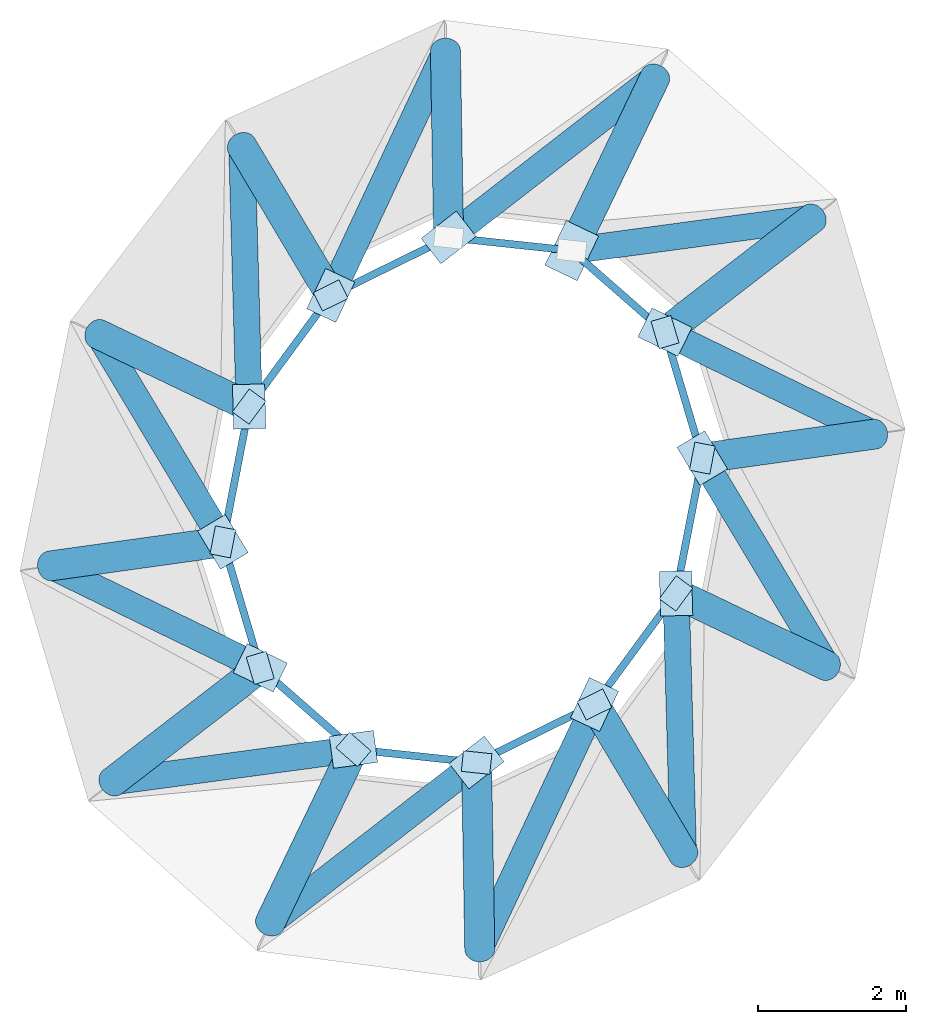
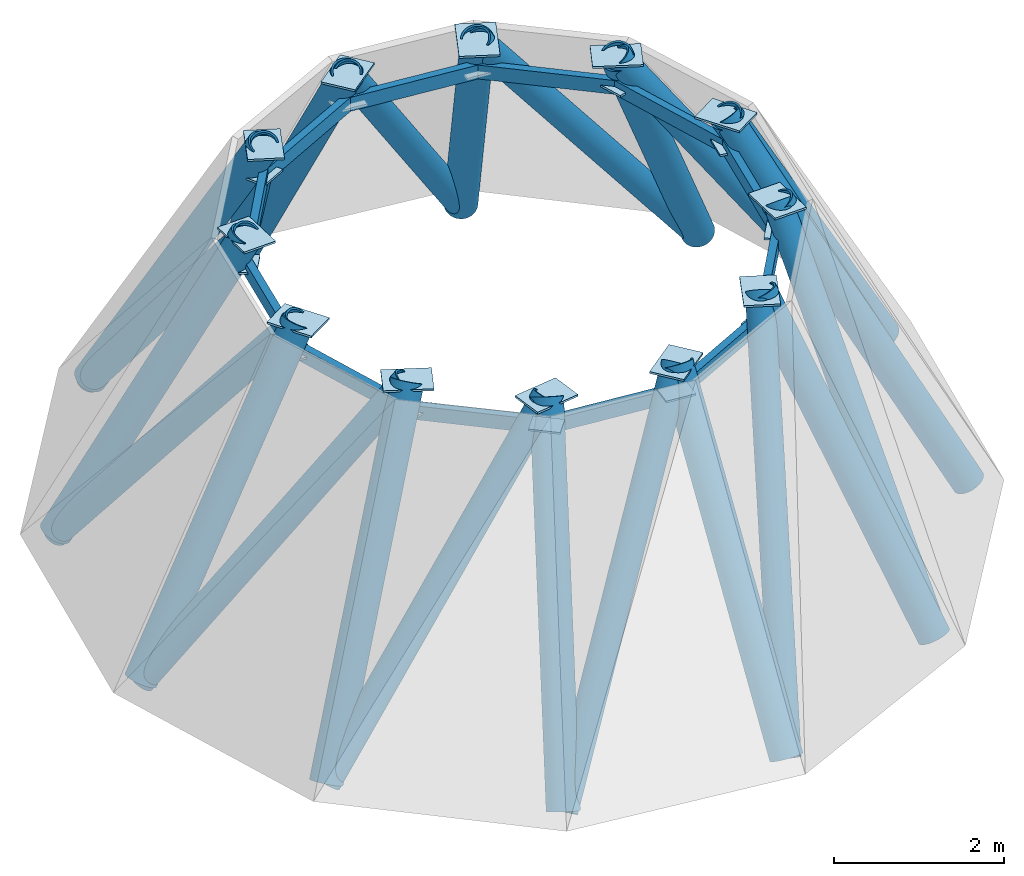
# One storey, part 1 of 2: 36 members, 22 plates.
"""IFC4 building model written with IfcOpenShell, lengths in metres."""

from ifc_helpers import new_model, si_unit, direction, frame, origin, origin_2d, place, context, subcontext, project, spatial, rectangle, hollow_rectangle, hollow_circle, extrude, material, layer, layer_set, material_profile, profile_set, type_object, element, save


model = new_model("IFC4")

# Units and contexts
model_context = context("Model", 3, precision=1e-05, world=origin(), true_north=direction((0.0, 1.0)))
body_context = subcontext(model_context, "Body", "Model", "MODEL_VIEW")
ifc_project = project(units=[si_unit("LENGTHUNIT", "METRE"), si_unit("AREAUNIT", "SQUARE_METRE"), si_unit("VOLUMEUNIT", "CUBIC_METRE"), si_unit("PLANEANGLEUNIT", "RADIAN"), si_unit("MASSUNIT", "GRAM", prefix="KILO")], contexts=[model_context])

# Site, building, storey
site_placement = place(None, origin())
site = spatial("IfcSite", under=ifc_project, at=site_placement, CompositionType="ELEMENT")
building_placement = place(site_placement, origin())
building = spatial("IfcBuilding", under=site, at=building_placement, Name="Veldorim Arch Residences", CompositionType="ELEMENT")
storey_placement = place(building_placement, frame((0.0, 0.0, 263.52001953125)))
storey = spatial("IfcBuildingStorey", under=building, at=storey_placement, Name="L78", CompositionType="ELEMENT", Elevation=263.52001953125)

# Members
ifc_material_1 = material(Name="Steel S460", Category="steel")
ifc_material_profile_1 = material_profile(ifc_material_1, hollow_circle(Radius=0.177734375, WallThickness=0.02490234375, at=origin_2d()), Name="CHS355.6x25")
ifc_profile_set_1 = profile_set([ifc_material_profile_1], Name="Steel S460")
member_type_1 = type_object("IfcMemberType", Name="Crown Diagrid CHS355.6x25", PredefinedType="STRUT", material=ifc_profile_set_1)
member_1_placement = place(storey_placement, frame((34.602294921875, 29.715576171875, 0.0), z_axis=(-0.511440311263, -0.396932072953, 0.762150731468), x_axis=(0.613117560272, -0.789991681783, 0.0)))
element("IfcMember", 1, at=member_1_placement, inside=storey, type_object=member_type_1, Name="L78 Crown Diagrid diagrid brace 01", PredefinedType="STRUT", context=body_context, shape_type="SweptSolid", body=[
    extrude(hollow_circle(Radius=0.177734375, WallThickness=0.02490234375, at=origin_2d()), origin(), (0.0, 0.0, 1.0), 5.4580078125),
])
member_2_placement = place(storey_placement, frame((31.767578125, 30.069091796875, 0.0), z_axis=(-0.280128393892, -0.597092568713, 0.751670504492), x_axis=(0.905318310706, -0.424733747542, 0.0)))
element("IfcMember", 2, at=member_2_placement, inside=storey, type_object=member_type_1, Name="L78 Crown Diagrid diagrid brace 02", PredefinedType="STRUT", context=body_context, shape_type="SweptSolid", body=[
    extrude(hollow_circle(Radius=0.177734375, WallThickness=0.02490234375, at=origin_2d()), origin(), (0.0, 0.0, 1.0), 5.5341796875),
])
member_3_placement = place(storey_placement, frame((29.015380859375, 28.78466796875, 0.0), z_axis=(0.018183363835, -0.646002068858, 0.763119055135), x_axis=(0.999604093461, 0.028136388099, 0.0)))
element("IfcMember", 3, at=member_3_placement, inside=storey, type_object=member_type_1, Name="L78 Crown Diagrid diagrid brace 03", PredefinedType="STRUT", context=body_context, shape_type="SweptSolid", body=[
    extrude(hollow_circle(Radius=0.177734375, WallThickness=0.02490234375, at=origin_2d()), origin(), (0.0, 0.0, 1.0), 5.451171875),
])
member_4_placement = place(storey_placement, frame((27.076416015625, 26.24169921875, 0.0), z_axis=(0.31796107465, -0.530396338623, 0.785862888157), x_axis=(0.8576902849, 0.514166680356, 0.0)))
element("IfcMember", 4, at=member_4_placement, inside=storey, type_object=member_type_1, Name="L78 Crown Diagrid diagrid brace 04", PredefinedType="STRUT", context=body_context, shape_type="SweptSolid", body=[
    extrude(hollow_circle(Radius=0.177734375, WallThickness=0.02490234375, at=origin_2d()), origin(), (0.0, 0.0, 1.0), 5.29345703125),
])
member_5_placement = place(storey_placement, frame((26.431396484375, 23.109619140625, 0.0), z_axis=(0.542896782699, -0.264149882378, 0.797174963841), x_axis=(0.43751652469, 0.899210370616, 0.0)))
element("IfcMember", 5, at=member_5_placement, inside=storey, type_object=member_type_1, Name="L78 Crown Diagrid diagrid brace 05", PredefinedType="STRUT", context=body_context, shape_type="SweptSolid", body=[
    extrude(hollow_circle(Radius=0.177734375, WallThickness=0.02490234375, at=origin_2d()), origin(), (0.0, 0.0, 1.0), 5.21826171875),
])
member_6_placement = place(storey_placement, frame((27.269775390625, 20.1904296875, 0.0), z_axis=(0.614084917929, 0.082731716495, 0.784891824813), x_axis=(-0.133517326257, 0.991046479026, 0.0)))
element("IfcMember", 6, at=member_6_placement, inside=storey, type_object=member_type_1, Name="L78 Crown Diagrid diagrid brace 06", PredefinedType="STRUT", context=body_context, shape_type="SweptSolid", body=[
    extrude(hollow_circle(Radius=0.177734375, WallThickness=0.02490234375, at=origin_2d()), origin(), (0.0, 0.0, 1.0), 5.300048828125),
])
member_7_placement = place(storey_placement, frame((29.397705078125, 18.284423828125, 0.0), z_axis=(0.511440311263, 0.396932072953, 0.762150731468), x_axis=(-0.613117560272, 0.789991681783, 0.0)))
element("IfcMember", 7, at=member_7_placement, inside=storey, type_object=member_type_1, Name="L78 Crown Diagrid diagrid brace 07", PredefinedType="STRUT", context=body_context, shape_type="SweptSolid", body=[
    extrude(hollow_circle(Radius=0.177734375, WallThickness=0.02490234375, at=origin_2d()), origin(), (0.0, 0.0, 1.0), 5.4580078125),
])
member_8_placement = place(storey_placement, frame((32.232421875, 17.930908203125, 0.0), z_axis=(0.280128393892, 0.597092568713, 0.751670504492), x_axis=(-0.905318310706, 0.424733747542, 0.0)))
element("IfcMember", 8, at=member_8_placement, inside=storey, type_object=member_type_1, Name="L78 Crown Diagrid diagrid brace 08", PredefinedType="STRUT", context=body_context, shape_type="SweptSolid", body=[
    extrude(hollow_circle(Radius=0.177734375, WallThickness=0.02490234375, at=origin_2d()), origin(), (0.0, 0.0, 1.0), 5.5341796875),
])
member_9_placement = place(storey_placement, frame((34.984619140625, 19.21533203125, 0.0), z_axis=(-0.018183363835, 0.646002068858, 0.763119055135), x_axis=(-0.999604093461, -0.028136388099, 0.0)))
element("IfcMember", 9, at=member_9_placement, inside=storey, type_object=member_type_1, Name="L78 Crown Diagrid diagrid brace 09", PredefinedType="STRUT", context=body_context, shape_type="SweptSolid", body=[
    extrude(hollow_circle(Radius=0.177734375, WallThickness=0.02490234375, at=origin_2d()), origin(), (0.0, 0.0, 1.0), 5.451171875),
])
member_10_placement = place(storey_placement, frame((36.923583984375, 21.75830078125, 0.0), z_axis=(-0.31796107465, 0.530396338623, 0.785862888157), x_axis=(-0.8576902849, -0.514166680356, 0.0)))
element("IfcMember", 10, at=member_10_placement, inside=storey, type_object=member_type_1, Name="L78 Crown Diagrid diagrid brace 10", PredefinedType="STRUT", context=body_context, shape_type="SweptSolid", body=[
    extrude(hollow_circle(Radius=0.177734375, WallThickness=0.02490234375, at=origin_2d()), origin(), (0.0, 0.0, 1.0), 5.29345703125),
])
member_11_placement = place(storey_placement, frame((37.568603515625, 24.890380859375, 0.0), z_axis=(-0.542896782699, 0.264149882378, 0.797174963841), x_axis=(-0.43751652469, -0.899210370616, 0.0)))
element("IfcMember", 11, at=member_11_placement, inside=storey, type_object=member_type_1, Name="L78 Crown Diagrid diagrid brace 11", PredefinedType="STRUT", context=body_context, shape_type="SweptSolid", body=[
    extrude(hollow_circle(Radius=0.177734375, WallThickness=0.02490234375, at=origin_2d()), origin(), (0.0, 0.0, 1.0), 5.21826171875),
])
member_12_placement = place(storey_placement, frame((36.730224609375, 27.8095703125, 0.0), z_axis=(-0.614084917929, -0.082731716495, 0.784891824813), x_axis=(0.133517326257, -0.991046479026, 0.0)))
element("IfcMember", 12, at=member_12_placement, inside=storey, type_object=member_type_1, Name="L78 Crown Diagrid diagrid brace 12", PredefinedType="STRUT", context=body_context, shape_type="SweptSolid", body=[
    extrude(hollow_circle(Radius=0.177734375, WallThickness=0.02490234375, at=origin_2d()), origin(), (0.0, 0.0, 1.0), 5.300048828125),
])
ifc_material_2 = material(Name="Steel S460", Category="steel")
ifc_material_profile_2 = material_profile(ifc_material_2, hollow_circle(Radius=0.203125, WallThickness=0.02490234375, at=origin_2d()), Name="CHS406.4x25")
ifc_profile_set_2 = profile_set([ifc_material_profile_2], Name="Steel S460")
member_type_2 = type_object("IfcMemberType", Name="Crown Diagrid CHS406.4x25", PredefinedType="BRACE", material=ifc_profile_set_2)
member_13_placement = place(storey_placement, frame((34.602294921875, 29.715576171875, 0.0), z_axis=(-0.229649357521, -0.477859757373, 0.847886327802), x_axis=(0.901319374712, -0.433155150921, 0.0)))
element("IfcMember", 13, at=member_13_placement, inside=storey, type_object=member_type_2, Name="L78 Crown Diagrid tapering rib 01", PredefinedType="BRACE", context=body_context, shape_type="SweptSolid", body=[
    extrude(hollow_circle(Radius=0.203125, WallThickness=0.02490234375, at=origin_2d()), origin(), (0.0, 0.0, 1.0), 4.90625),
])
member_14_placement = place(storey_placement, frame((31.767578125, 30.069091796875, 0.0), z_axis=(0.008884466017, -0.518109933504, 0.855267889651), x_axis=(0.999853008215, 0.017145318974, 0.0)))
element("IfcMember", 14, at=member_14_placement, inside=storey, type_object=member_type_2, Name="L78 Crown Diagrid tapering rib 02", PredefinedType="BRACE", context=body_context, shape_type="SweptSolid", body=[
    extrude(hollow_circle(Radius=0.203125, WallThickness=0.02490234375, at=origin_2d()), origin(), (0.0, 0.0, 1.0), 4.86376953125),
])
member_15_placement = place(storey_placement, frame((29.015380859375, 28.78466796875, 0.0), z_axis=(0.251546151763, -0.422769217894, 0.87062662602), x_axis=(0.859384171603, 0.511330466135, 0.0)))
element("IfcMember", 15, at=member_15_placement, inside=storey, type_object=member_type_2, Name="L78 Crown Diagrid tapering rib 03", PredefinedType="BRACE", context=body_context, shape_type="SweptSolid", body=[
    extrude(hollow_circle(Radius=0.203125, WallThickness=0.02490234375, at=origin_2d()), origin(), (0.0, 0.0, 1.0), 4.778076171875),
])
member_16_placement = place(storey_placement, frame((27.076416015625, 26.24169921875, 0.0), z_axis=(0.430469041681, -0.206674642916, 0.87862506004), x_axis=(0.432815321498, 0.901482610745, 0.0)))
element("IfcMember", 16, at=member_16_placement, inside=storey, type_object=member_type_2, Name="L78 Crown Diagrid tapering rib 04", PredefinedType="BRACE", context=body_context, shape_type="SweptSolid", body=[
    extrude(hollow_circle(Radius=0.203125, WallThickness=0.02490234375, at=origin_2d()), origin(), (0.0, 0.0, 1.0), 4.734619140625),
])
member_17_placement = place(storey_placement, frame((26.431396484375, 23.109619140625, 0.0), z_axis=(0.487248354579, 0.067906151765, 0.870619202357), x_axis=(-0.138032550746, 0.990427692936, 0.0)))
element("IfcMember", 17, at=member_17_placement, inside=storey, type_object=member_type_2, Name="L78 Crown Diagrid tapering rib 05", PredefinedType="BRACE", context=body_context, shape_type="SweptSolid", body=[
    extrude(hollow_circle(Radius=0.203125, WallThickness=0.02490234375, at=origin_2d()), origin(), (0.0, 0.0, 1.0), 4.778076171875),
])
member_18_placement = place(storey_placement, frame((27.269775390625, 20.1904296875, 0.0), z_axis=(0.410089541723, 0.316777857749, 0.855265079732), x_axis=(-0.611315164628, 0.791387243703, 0.0)))
element("IfcMember", 18, at=member_18_placement, inside=storey, type_object=member_type_2, Name="L78 Crown Diagrid tapering rib 06", PredefinedType="BRACE", context=body_context, shape_type="SweptSolid", body=[
    extrude(hollow_circle(Radius=0.203125, WallThickness=0.02490234375, at=origin_2d()), origin(), (0.0, 0.0, 1.0), 4.86376953125),
])
member_19_placement = place(storey_placement, frame((29.397705078125, 18.284423828125, 0.0), z_axis=(0.229649357521, 0.477859757373, 0.847886327802), x_axis=(-0.901319374712, 0.433155150921, 0.0)))
element("IfcMember", 19, at=member_19_placement, inside=storey, type_object=member_type_2, Name="L78 Crown Diagrid tapering rib 07", PredefinedType="BRACE", context=body_context, shape_type="SweptSolid", body=[
    extrude(hollow_circle(Radius=0.203125, WallThickness=0.02490234375, at=origin_2d()), origin(), (0.0, 0.0, 1.0), 4.90625),
])
member_20_placement = place(storey_placement, frame((32.232421875, 17.930908203125, 0.0), z_axis=(-0.008884466017, 0.518109933504, 0.855267889651), x_axis=(-0.999853008215, -0.017145318974, 0.0)))
element("IfcMember", 20, at=member_20_placement, inside=storey, type_object=member_type_2, Name="L78 Crown Diagrid tapering rib 08", PredefinedType="BRACE", context=body_context, shape_type="SweptSolid", body=[
    extrude(hollow_circle(Radius=0.203125, WallThickness=0.02490234375, at=origin_2d()), origin(), (0.0, 0.0, 1.0), 4.86376953125),
])
member_21_placement = place(storey_placement, frame((34.984619140625, 19.21533203125, 0.0), z_axis=(-0.251546151763, 0.422769217894, 0.87062662602), x_axis=(-0.859384171603, -0.511330466135, 0.0)))
element("IfcMember", 21, at=member_21_placement, inside=storey, type_object=member_type_2, Name="L78 Crown Diagrid tapering rib 09", PredefinedType="BRACE", context=body_context, shape_type="SweptSolid", body=[
    extrude(hollow_circle(Radius=0.203125, WallThickness=0.02490234375, at=origin_2d()), origin(), (0.0, 0.0, 1.0), 4.778076171875),
])
member_22_placement = place(storey_placement, frame((36.923583984375, 21.75830078125, 0.0), z_axis=(-0.430469041681, 0.206674642916, 0.87862506004), x_axis=(-0.432815321498, -0.901482610745, 0.0)))
element("IfcMember", 22, at=member_22_placement, inside=storey, type_object=member_type_2, Name="L78 Crown Diagrid tapering rib 10", PredefinedType="BRACE", context=body_context, shape_type="SweptSolid", body=[
    extrude(hollow_circle(Radius=0.203125, WallThickness=0.02490234375, at=origin_2d()), origin(), (0.0, 0.0, 1.0), 4.734619140625),
])
member_23_placement = place(storey_placement, frame((37.568603515625, 24.890380859375, 0.0), z_axis=(-0.487248354579, -0.067906151765, 0.870619202357), x_axis=(0.138032550746, -0.990427692936, 0.0)))
element("IfcMember", 23, at=member_23_placement, inside=storey, type_object=member_type_2, Name="L78 Crown Diagrid tapering rib 11", PredefinedType="BRACE", context=body_context, shape_type="SweptSolid", body=[
    extrude(hollow_circle(Radius=0.203125, WallThickness=0.02490234375, at=origin_2d()), origin(), (0.0, 0.0, 1.0), 4.778076171875),
])
member_24_placement = place(storey_placement, frame((36.730224609375, 27.8095703125, 0.0), z_axis=(-0.410089541723, -0.316777857749, 0.855265079732), x_axis=(0.611315164628, -0.791387243703, 0.0)))
element("IfcMember", 24, at=member_24_placement, inside=storey, type_object=member_type_2, Name="L78 Crown Diagrid tapering rib 12", PredefinedType="BRACE", context=body_context, shape_type="SweptSolid", body=[
    extrude(hollow_circle(Radius=0.203125, WallThickness=0.02490234375, at=origin_2d()), origin(), (0.0, 0.0, 1.0), 4.86376953125),
])
ifc_material_3 = material(Name="Steel S355", Category="steel")
ifc_material_profile_3 = material_profile(ifc_material_3, hollow_rectangle(XDim=0.10009765625, YDim=0.199951171875, WallThickness=0.010009765625, at=origin_2d()), Name="RHS200x100x10")
ifc_profile_set_3 = profile_set([ifc_material_profile_3], Name="Steel S355")
member_type_3 = type_object("IfcMemberType", Name="Truss Purlin RHS200x100x10", PredefinedType="PURLIN", material=ifc_profile_set_3)
member_25_placement = place(storey_placement, frame((33.4755859375, 27.37109375, 3.739990234375), z_axis=(-0.994333950949, 0.106301429864, 0.0), x_axis=(-0.106301429864, -0.994333950949, 0.0)))
element("IfcMember", 25, at=member_25_placement, inside=storey, type_object=member_type_3, Name="L78 crown ring purlin 01", PredefinedType="PURLIN", context=body_context, shape_type="SweptSolid", body=[
    extrude(hollow_rectangle(XDim=0.10009765625, YDim=0.199951171875, WallThickness=0.010009765625, at=origin_2d()), origin(), (0.0, 0.0, 1.0), 1.67431640625),
])
member_26_placement = place(storey_placement, frame((31.810791015625, 27.549072265625, 3.739990234375), z_axis=(-0.897186597405, -0.441651683386, 0.0), x_axis=(0.441651683386, -0.897186597405, 0.0)))
element("IfcMember", 26, at=member_26_placement, inside=storey, type_object=member_type_3, Name="L78 crown ring purlin 02", PredefinedType="PURLIN", context=body_context, shape_type="SweptSolid", body=[
    extrude(hollow_rectangle(XDim=0.10009765625, YDim=0.199951171875, WallThickness=0.010009765625, at=origin_2d()), origin(), (0.0, 0.0, 1.0), 1.776123046875),
])
member_27_placement = place(storey_placement, frame((30.21728515625, 26.7646484375, 3.739990234375), z_axis=(-0.591960051703, -0.805967305285, 0.0), x_axis=(0.805967305285, -0.591960051703, 0.0)))
element("IfcMember", 27, at=member_27_placement, inside=storey, type_object=member_type_3, Name="L78 crown ring purlin 03", PredefinedType="PURLIN", context=body_context, shape_type="SweptSolid", body=[
    extrude(hollow_rectangle(XDim=0.10009765625, YDim=0.199951171875, WallThickness=0.010009765625, at=origin_2d()), origin(), (0.0, 0.0, 1.0), 1.863037109375),
])
member_28_placement = place(storey_placement, frame((29.114501953125, 25.26318359375, 3.739990234375), z_axis=(-0.190518932237, -0.981683521538, 0.0), x_axis=(0.981683521538, -0.190518932237, 0.0)))
element("IfcMember", 28, at=member_28_placement, inside=storey, type_object=member_type_3, Name="L78 crown ring purlin 04", PredefinedType="PURLIN", context=body_context, shape_type="SweptSolid", body=[
    extrude(hollow_rectangle(XDim=0.10009765625, YDim=0.199951171875, WallThickness=0.010009765625, at=origin_2d()), origin(), (0.0, 0.0, 1.0), 1.86328125),
])
member_29_placement = place(storey_placement, frame((28.759521484375, 23.43408203125, 3.739990234375), z_axis=(0.28425680727, -0.958748177323, 0.0), x_axis=(0.958748177323, 0.28425680727, 0.0)))
element("IfcMember", 29, at=member_29_placement, inside=storey, type_object=member_type_3, Name="L78 crown ring purlin 05", PredefinedType="PURLIN", context=body_context, shape_type="SweptSolid", body=[
    extrude(hollow_rectangle(XDim=0.10009765625, YDim=0.199951171875, WallThickness=0.010009765625, at=origin_2d()), origin(), (0.0, 0.0, 1.0), 1.776123046875),
])
member_30_placement = place(storey_placement, frame((29.264404296875, 21.731201171875, 3.739990234375), z_axis=(0.752639928204, -0.658432334013, 0.0), x_axis=(0.658432334013, 0.752639928204, 0.0)))
element("IfcMember", 30, at=member_30_placement, inside=storey, type_object=member_type_3, Name="L78 crown ring purlin 06", PredefinedType="PURLIN", context=body_context, shape_type="SweptSolid", body=[
    extrude(hollow_rectangle(XDim=0.10009765625, YDim=0.199951171875, WallThickness=0.010009765625, at=origin_2d()), origin(), (0.0, 0.0, 1.0), 1.674072265625),
])
member_31_placement = place(storey_placement, frame((30.5244140625, 20.62890625, 3.739990234375), z_axis=(0.994333950949, -0.106301429864, 0.0), x_axis=(0.106301429864, 0.994333950949, 0.0)))
element("IfcMember", 31, at=member_31_placement, inside=storey, type_object=member_type_3, Name="L78 crown ring purlin 07", PredefinedType="PURLIN", context=body_context, shape_type="SweptSolid", body=[
    extrude(hollow_rectangle(XDim=0.10009765625, YDim=0.199951171875, WallThickness=0.010009765625, at=origin_2d()), origin(), (0.0, 0.0, 1.0), 1.67431640625),
])
member_32_placement = place(storey_placement, frame((32.189208984375, 20.450927734375, 3.739990234375), z_axis=(0.897186597405, 0.441651683386, 0.0), x_axis=(-0.441651683386, 0.897186597405, 0.0)))
element("IfcMember", 32, at=member_32_placement, inside=storey, type_object=member_type_3, Name="L78 crown ring purlin 08", PredefinedType="PURLIN", context=body_context, shape_type="SweptSolid", body=[
    extrude(hollow_rectangle(XDim=0.10009765625, YDim=0.199951171875, WallThickness=0.010009765625, at=origin_2d()), origin(), (0.0, 0.0, 1.0), 1.776123046875),
])
member_33_placement = place(storey_placement, frame((33.78271484375, 21.2353515625, 3.739990234375), z_axis=(0.591960051703, 0.805967305285, 0.0), x_axis=(-0.805967305285, 0.591960051703, 0.0)))
element("IfcMember", 33, at=member_33_placement, inside=storey, type_object=member_type_3, Name="L78 crown ring purlin 09", PredefinedType="PURLIN", context=body_context, shape_type="SweptSolid", body=[
    extrude(hollow_rectangle(XDim=0.10009765625, YDim=0.199951171875, WallThickness=0.010009765625, at=origin_2d()), origin(), (0.0, 0.0, 1.0), 1.863037109375),
])
member_34_placement = place(storey_placement, frame((34.885498046875, 22.73681640625, 3.739990234375), z_axis=(0.190518932237, 0.981683521538, 0.0), x_axis=(-0.981683521538, 0.190518932237, 0.0)))
element("IfcMember", 34, at=member_34_placement, inside=storey, type_object=member_type_3, Name="L78 crown ring purlin 10", PredefinedType="PURLIN", context=body_context, shape_type="SweptSolid", body=[
    extrude(hollow_rectangle(XDim=0.10009765625, YDim=0.199951171875, WallThickness=0.010009765625, at=origin_2d()), origin(), (0.0, 0.0, 1.0), 1.86328125),
])
member_35_placement = place(storey_placement, frame((35.240478515625, 24.56591796875, 3.739990234375), z_axis=(-0.28425680727, 0.958748177323, 0.0), x_axis=(-0.958748177323, -0.28425680727, 0.0)))
element("IfcMember", 35, at=member_35_placement, inside=storey, type_object=member_type_3, Name="L78 crown ring purlin 11", PredefinedType="PURLIN", context=body_context, shape_type="SweptSolid", body=[
    extrude(hollow_rectangle(XDim=0.10009765625, YDim=0.199951171875, WallThickness=0.010009765625, at=origin_2d()), origin(), (0.0, 0.0, 1.0), 1.776123046875),
])
member_36_placement = place(storey_placement, frame((34.735595703125, 26.268798828125, 3.739990234375), z_axis=(-0.752639928204, 0.658432334013, 0.0), x_axis=(-0.658432334013, -0.752639928204, 0.0)))
element("IfcMember", 36, at=member_36_placement, inside=storey, type_object=member_type_3, Name="L78 crown ring purlin 12", PredefinedType="PURLIN", context=body_context, shape_type="SweptSolid", body=[
    extrude(hollow_rectangle(XDim=0.10009765625, YDim=0.199951171875, WallThickness=0.010009765625, at=origin_2d()), origin(), (0.0, 0.0, 1.0), 1.674072265625),
])

# Plates
ifc_material_4 = material(Name="Steel S460", Category="steel")
ifc_layer = layer(ifc_material_4, 0.028076171875, Name="Welded Crown Rib End-Cap Gusset Plate 28")
ifc_layer_set = layer_set([ifc_layer], Name="Steel S460")
plate_type = type_object("IfcPlateType", Name="Welded Crown Rib End-Cap Gusset Plate 28", PredefinedType="USERDEFINED", material=ifc_layer_set)
plate_1_placement = place(storey_placement, frame((33.4755859375, 27.37109375, 4.14599609375), z_axis=(0.0, 0.0, 1.0), x_axis=(-0.43314002958, -0.901326641554, 0.0)))
element("IfcPlate", 37, at=plate_1_placement, inside=storey, type_object=plate_type, Name="L78 Crown Diagrid tapering rib 01 welded joint gusset plate 2", ObjectType="GUSSET PLATE", PredefinedType="USERDEFINED", context=body_context, shape_type="SweptSolid", body=[
    extrude(rectangle(XDim=0.6708984375, YDim=0.486083984375, at=origin_2d()), origin(), (0.0, 0.0, 1.0), 0.028076171875),
])
for number, where, z_axis, x_axis, name in (
    (38, (31.810791015625, 27.549072265625, 4.14599609375), (0.0, 0.0, 1.0), (-0.789994526608, -0.613113894745, 0.0), "L78 Crown Diagrid diagrid brace 01 welded joint gusset plate 2"),
    (39, (30.21728515625, 26.7646484375, 4.14599609375), (0.0, 0.0, 1.0), (-0.424705121588, -0.905331740136, 0.0), "L78 Crown Diagrid diagrid brace 02 welded joint gusset plate 2"),
):
    element("IfcPlate", number, at=place(storey_placement, frame(where, z_axis=z_axis, x_axis=x_axis)), inside=storey, type_object=plate_type, Name=name, ObjectType="GUSSET PLATE", PredefinedType="USERDEFINED", context=body_context, shape_type="SweptSolid", body=[
        extrude(rectangle(XDim=0.60205078125, YDim=0.43603515625, at=origin_2d()), origin(), (0.0, 0.0, 1.0), 0.028076171875),
    ])
plate_2_placement = place(storey_placement, frame((30.21728515625, 26.7646484375, 3.72607421875), z_axis=(0.0, 0.0, 1.0), x_axis=(-0.897189007028, -0.441646788359, 0.0)))
element("IfcPlate", 40, at=plate_2_placement, inside=storey, type_object=plate_type, Name="L78 crown ring purlin 02 welded joint gusset plate 2", ObjectType="GUSSET PLATE", PredefinedType="USERDEFINED", context=body_context, shape_type="SweptSolid", body=[
    extrude(rectangle(XDim=0.385986328125, YDim=0.280029296875, at=origin_2d()), origin(), (0.0, 0.0, 1.0), 0.028076171875),
])
plate_3_placement = place(storey_placement, frame((29.114501953125, 25.26318359375, 4.14599609375), z_axis=(0.0, 0.0, 1.0), x_axis=(0.028096103175, -0.99960522657, 0.0)))
element("IfcPlate", 41, at=plate_3_placement, inside=storey, type_object=plate_type, Name="L78 Crown Diagrid diagrid brace 03 welded joint gusset plate 2", ObjectType="GUSSET PLATE", PredefinedType="USERDEFINED", context=body_context, shape_type="SweptSolid", body=[
    extrude(rectangle(XDim=0.60205078125, YDim=0.43603515625, at=origin_2d()), origin(), (0.0, 0.0, 1.0), 0.028076171875),
])
plate_4_placement = place(storey_placement, frame((29.114501953125, 25.26318359375, 3.72607421875), z_axis=(0.0, 0.0, 1.0), x_axis=(-0.591999112607, -0.805938614705, 0.0)))
element("IfcPlate", 42, at=plate_4_placement, inside=storey, type_object=plate_type, Name="L78 crown ring purlin 03 welded joint gusset plate 2", ObjectType="GUSSET PLATE", PredefinedType="USERDEFINED", context=body_context, shape_type="SweptSolid", body=[
    extrude(rectangle(XDim=0.385986328125, YDim=0.280029296875, at=origin_2d()), origin(), (0.0, 0.0, 1.0), 0.028076171875),
])
plate_5_placement = place(storey_placement, frame((28.759521484375, 23.43408203125, 4.14599609375), z_axis=(0.0, 0.0, 1.0), x_axis=(0.514155138893, -0.85769720365, 0.0)))
element("IfcPlate", 43, at=plate_5_placement, inside=storey, type_object=plate_type, Name="L78 Crown Diagrid diagrid brace 04 welded joint gusset plate 2", ObjectType="GUSSET PLATE", PredefinedType="USERDEFINED", context=body_context, shape_type="SweptSolid", body=[
    extrude(rectangle(XDim=0.60205078125, YDim=0.43603515625, at=origin_2d()), origin(), (0.0, 0.0, 1.0), 0.028076171875),
])
plate_6_placement = place(storey_placement, frame((28.759521484375, 23.43408203125, 3.72607421875), z_axis=(0.0, 0.0, 1.0), x_axis=(-0.190534865918, -0.981680429096, 0.0)))
element("IfcPlate", 44, at=plate_6_placement, inside=storey, type_object=plate_type, Name="L78 crown ring purlin 04 welded joint gusset plate 2", ObjectType="GUSSET PLATE", PredefinedType="USERDEFINED", context=body_context, shape_type="SweptSolid", body=[
    extrude(rectangle(XDim=0.385986328125, YDim=0.280029296875, at=origin_2d()), origin(), (0.0, 0.0, 1.0), 0.028076171875),
])
plate_7_placement = place(storey_placement, frame((29.264404296875, 21.731201171875, 4.14599609375), z_axis=(0.0, 0.0, 1.0), x_axis=(0.899183892199, -0.437570940546, 0.0)))
element("IfcPlate", 45, at=plate_7_placement, inside=storey, type_object=plate_type, Name="L78 Crown Diagrid diagrid brace 05 welded joint gusset plate 2", ObjectType="GUSSET PLATE", PredefinedType="USERDEFINED", context=body_context, shape_type="SweptSolid", body=[
    extrude(rectangle(XDim=0.60205078125, YDim=0.43603515625, at=origin_2d()), origin(), (0.0, 0.0, 1.0), 0.028076171875),
])
plate_8_placement = place(storey_placement, frame((29.264404296875, 21.731201171875, 3.72607421875), z_axis=(0.0, 0.0, 1.0), x_axis=(0.284249620081, -0.958750308205, 0.0)))
element("IfcPlate", 46, at=plate_8_placement, inside=storey, type_object=plate_type, Name="L78 crown ring purlin 05 welded joint gusset plate 2", ObjectType="GUSSET PLATE", PredefinedType="USERDEFINED", context=body_context, shape_type="SweptSolid", body=[
    extrude(rectangle(XDim=0.385986328125, YDim=0.280029296875, at=origin_2d()), origin(), (0.0, 0.0, 1.0), 0.028076171875),
])
plate_9_placement = place(storey_placement, frame((30.5244140625, 20.62890625, 4.14599609375), z_axis=(0.0, 0.0, 1.0), x_axis=(0.991048559381, 0.133501883688, 0.0)))
element("IfcPlate", 47, at=plate_9_placement, inside=storey, type_object=plate_type, Name="L78 Crown Diagrid diagrid brace 06 welded joint gusset plate 2", ObjectType="GUSSET PLATE", PredefinedType="USERDEFINED", context=body_context, shape_type="SweptSolid", body=[
    extrude(rectangle(XDim=0.60205078125, YDim=0.43603515625, at=origin_2d()), origin(), (0.0, 0.0, 1.0), 0.028076171875),
])
plate_10_placement = place(storey_placement, frame((30.5244140625, 20.62890625, 3.72607421875), z_axis=(0.0, 0.0, 1.0), x_axis=(0.75266777202, -0.658400504984, 0.0)))
element("IfcPlate", 48, at=plate_10_placement, inside=storey, type_object=plate_type, Name="L78 crown ring purlin 06 welded joint gusset plate 2", ObjectType="GUSSET PLATE", PredefinedType="USERDEFINED", context=body_context, shape_type="SweptSolid", body=[
    extrude(rectangle(XDim=0.385986328125, YDim=0.280029296875, at=origin_2d()), origin(), (0.0, 0.0, 1.0), 0.028076171875),
])
plate_11_placement = place(storey_placement, frame((32.189208984375, 20.450927734375, 4.14599609375), z_axis=(0.0, 0.0, 1.0), x_axis=(0.789994526608, 0.613113894745, 0.0)))
element("IfcPlate", 49, at=plate_11_placement, inside=storey, type_object=plate_type, Name="L78 Crown Diagrid diagrid brace 07 welded joint gusset plate 2", ObjectType="GUSSET PLATE", PredefinedType="USERDEFINED", context=body_context, shape_type="SweptSolid", body=[
    extrude(rectangle(XDim=0.60205078125, YDim=0.43603515625, at=origin_2d()), origin(), (0.0, 0.0, 1.0), 0.028076171875),
])
plate_12_placement = place(storey_placement, frame((32.189208984375, 20.450927734375, 3.72607421875), z_axis=(0.0, 0.0, 1.0), x_axis=(0.994332378796, -0.106316134604, 0.0)))
element("IfcPlate", 50, at=plate_12_placement, inside=storey, type_object=plate_type, Name="L78 crown ring purlin 07 welded joint gusset plate 2", ObjectType="GUSSET PLATE", PredefinedType="USERDEFINED", context=body_context, shape_type="SweptSolid", body=[
    extrude(rectangle(XDim=0.385986328125, YDim=0.280029296875, at=origin_2d()), origin(), (0.0, 0.0, 1.0), 0.028076171875),
])
plate_13_placement = place(storey_placement, frame((33.78271484375, 21.2353515625, 4.14599609375), z_axis=(0.0, 0.0, 1.0), x_axis=(0.424705121588, 0.905331740136, 0.0)))
element("IfcPlate", 51, at=plate_13_placement, inside=storey, type_object=plate_type, Name="L78 Crown Diagrid diagrid brace 08 welded joint gusset plate 2", ObjectType="GUSSET PLATE", PredefinedType="USERDEFINED", context=body_context, shape_type="SweptSolid", body=[
    extrude(rectangle(XDim=0.60205078125, YDim=0.43603515625, at=origin_2d()), origin(), (0.0, 0.0, 1.0), 0.028076171875),
])
plate_14_placement = place(storey_placement, frame((33.78271484375, 21.2353515625, 3.72607421875), z_axis=(0.0, 0.0, 1.0), x_axis=(0.897189007028, 0.441646788359, 0.0)))
element("IfcPlate", 52, at=plate_14_placement, inside=storey, type_object=plate_type, Name="L78 crown ring purlin 08 welded joint gusset plate 2", ObjectType="GUSSET PLATE", PredefinedType="USERDEFINED", context=body_context, shape_type="SweptSolid", body=[
    extrude(rectangle(XDim=0.385986328125, YDim=0.280029296875, at=origin_2d()), origin(), (0.0, 0.0, 1.0), 0.028076171875),
])
plate_15_placement = place(storey_placement, frame((34.885498046875, 22.73681640625, 4.14599609375), z_axis=(0.0, 0.0, 1.0), x_axis=(-0.028096103175, 0.99960522657, 0.0)))
element("IfcPlate", 53, at=plate_15_placement, inside=storey, type_object=plate_type, Name="L78 Crown Diagrid diagrid brace 09 welded joint gusset plate 2", ObjectType="GUSSET PLATE", PredefinedType="USERDEFINED", context=body_context, shape_type="SweptSolid", body=[
    extrude(rectangle(XDim=0.60205078125, YDim=0.43603515625, at=origin_2d()), origin(), (0.0, 0.0, 1.0), 0.028076171875),
])
plate_16_placement = place(storey_placement, frame((34.885498046875, 22.73681640625, 3.72607421875), z_axis=(0.0, 0.0, 1.0), x_axis=(0.591999112607, 0.805938614705, 0.0)))
element("IfcPlate", 54, at=plate_16_placement, inside=storey, type_object=plate_type, Name="L78 crown ring purlin 09 welded joint gusset plate 2", ObjectType="GUSSET PLATE", PredefinedType="USERDEFINED", context=body_context, shape_type="SweptSolid", body=[
    extrude(rectangle(XDim=0.385986328125, YDim=0.280029296875, at=origin_2d()), origin(), (0.0, 0.0, 1.0), 0.028076171875),
])
plate_17_placement = place(storey_placement, frame((35.240478515625, 24.56591796875, 4.14599609375), z_axis=(0.0, 0.0, 1.0), x_axis=(-0.514155138893, 0.85769720365, 0.0)))
element("IfcPlate", 55, at=plate_17_placement, inside=storey, type_object=plate_type, Name="L78 Crown Diagrid diagrid brace 10 welded joint gusset plate 2", ObjectType="GUSSET PLATE", PredefinedType="USERDEFINED", context=body_context, shape_type="SweptSolid", body=[
    extrude(rectangle(XDim=0.60205078125, YDim=0.43603515625, at=origin_2d()), origin(), (0.0, 0.0, 1.0), 0.028076171875),
])
plate_18_placement = place(storey_placement, frame((35.240478515625, 24.56591796875, 3.72607421875), z_axis=(0.0, 0.0, 1.0), x_axis=(0.190534865918, 0.981680429096, 0.0)))
element("IfcPlate", 56, at=plate_18_placement, inside=storey, type_object=plate_type, Name="L78 crown ring purlin 10 welded joint gusset plate 2", ObjectType="GUSSET PLATE", PredefinedType="USERDEFINED", context=body_context, shape_type="SweptSolid", body=[
    extrude(rectangle(XDim=0.385986328125, YDim=0.280029296875, at=origin_2d()), origin(), (0.0, 0.0, 1.0), 0.028076171875),
])
plate_19_placement = place(storey_placement, frame((34.735595703125, 26.268798828125, 4.14599609375), z_axis=(0.0, 0.0, 1.0), x_axis=(-0.899183892199, 0.437570940546, 0.0)))
element("IfcPlate", 57, at=plate_19_placement, inside=storey, type_object=plate_type, Name="L78 Crown Diagrid diagrid brace 11 welded joint gusset plate 2", ObjectType="GUSSET PLATE", PredefinedType="USERDEFINED", context=body_context, shape_type="SweptSolid", body=[
    extrude(rectangle(XDim=0.60205078125, YDim=0.43603515625, at=origin_2d()), origin(), (0.0, 0.0, 1.0), 0.028076171875),
])
plate_20_placement = place(storey_placement, frame((34.735595703125, 26.268798828125, 3.72607421875), z_axis=(0.0, 0.0, 1.0), x_axis=(-0.284249620081, 0.958750308205, 0.0)))
element("IfcPlate", 58, at=plate_20_placement, inside=storey, type_object=plate_type, Name="L78 crown ring purlin 11 welded joint gusset plate 2", ObjectType="GUSSET PLATE", PredefinedType="USERDEFINED", context=body_context, shape_type="SweptSolid", body=[
    extrude(rectangle(XDim=0.385986328125, YDim=0.280029296875, at=origin_2d()), origin(), (0.0, 0.0, 1.0), 0.028076171875),
])

save(model, "model.ifc")
